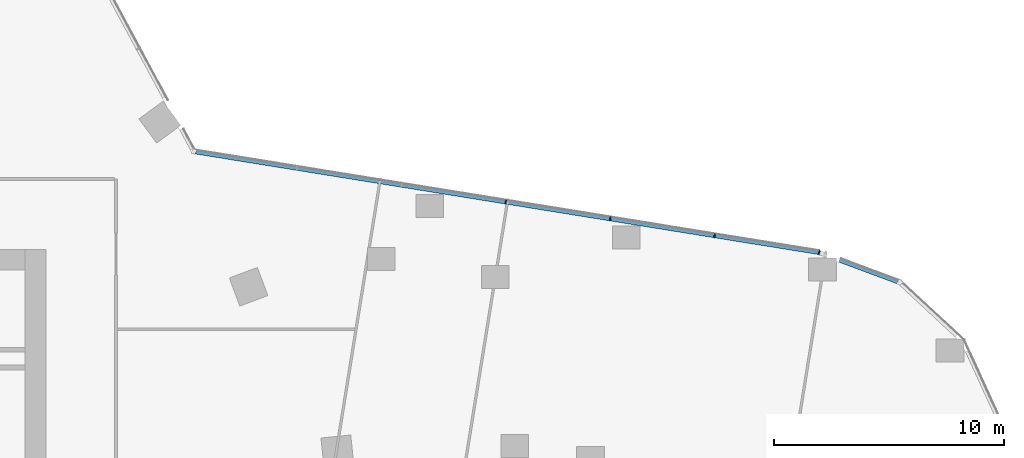
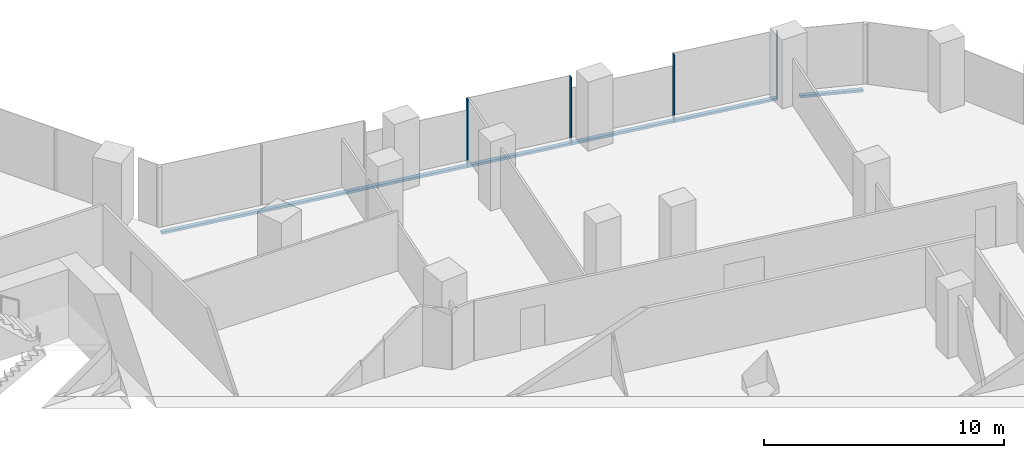
# One storey, part 14 of 34: 6 members, 2 elements without a shape of their own.
"""IFC4 building model written with IfcOpenShell, lengths in metres."""

from ifc_helpers import new_model, si_unit, direction, frame, origin, origin_2d, place, context, subcontext, project, spatial, rectangle, extrude, material, material_profile, profile_set, type_object, element, aggregate, save


model = new_model("IFC4")

# Units and contexts
model_context = context("Model", 3, precision=1e-05, world=origin(), true_north=direction((0.0, 1.0)))
body_context = subcontext(model_context, "Body", "Model", "MODEL_VIEW")
ifc_project = project(units=[si_unit("LENGTHUNIT", "METRE"), si_unit("AREAUNIT", "SQUARE_METRE"), si_unit("VOLUMEUNIT", "CUBIC_METRE"), si_unit("PLANEANGLEUNIT", "RADIAN"), si_unit("MASSUNIT", "GRAM", prefix="KILO")], contexts=[model_context])

# Site, building, storey
site_placement = place(None, origin())
site = spatial("IfcSite", under=ifc_project, at=site_placement, CompositionType="ELEMENT")
building_placement = place(site_placement, origin())
building = spatial("IfcBuilding", under=site, at=building_placement, Name="Orlundy Tower", CompositionType="ELEMENT")
storey_placement = place(building_placement, frame((0.0, 0.0, 137.699951171875)))
storey = spatial("IfcBuildingStorey", under=building, at=storey_placement, Name="L35", CompositionType="ELEMENT", Elevation=137.699951171875)

# Curtain wall, members
ifc_material_1 = material(Name="Aluminium bronze anodised", Category="aluminium")
curtain_wall_type = type_object("IfcCurtainWallType", Name="CW1 wall", PredefinedType="NOTDEFINED", material=ifc_material_1)
curtain_wall_1_placement = place(storey_placement, origin())
curtain_wall_1 = element("IfcCurtainWall", 1, at=curtain_wall_1_placement, inside=storey, type_object=curtain_wall_type, Name="CW1 run 06", PredefinedType="NOTDEFINED")
ifc_material_2 = material(Name="Aluminium bronze anodised", Category="aluminium")
ifc_material_profile_1 = material_profile(ifc_material_2, rectangle(XDim=0.179931640625, YDim=0.050048828125, at=origin_2d()), Name="CW1 mullion 50x180")
ifc_profile_set_1 = profile_set([ifc_material_profile_1], Name="Aluminium bronze anodised")
member_type_1 = type_object("IfcMemberType", Name="CW1 mullion 50x180", PredefinedType="MULLION", material=ifc_profile_set_1)
member_1_placement = place(storey_placement, frame((38.971923828125, 14.060791015625, -0.39990234375), z_axis=(0.0, 0.0, 1.0), x_axis=(0.159302095871, 0.987229883184, 0.0)))
member_1 = element("IfcMember", 2, at=member_1_placement, type_object=member_type_1, Name="CW1 mullion 29", PredefinedType="MULLION", context=body_context, shape_type="SweptSolid", body=[
    extrude(rectangle(XDim=0.179931640625, YDim=0.050048828125, at=origin_2d()), origin(), (0.0, 0.0, 1.0), 3.449951171875),
])
member_2_placement = place(storey_placement, frame((43.501953125, 13.329833984375, -0.39990234375), z_axis=(0.0, 0.0, 1.0), x_axis=(0.159302095871, 0.987229883184, 0.0)))
member_2 = element("IfcMember", 3, at=member_2_placement, type_object=member_type_1, Name="CW1 mullion 30", PredefinedType="MULLION", context=body_context, shape_type="SweptSolid", body=[
    extrude(rectangle(XDim=0.179931640625, YDim=0.050048828125, at=origin_2d()), origin(), (0.0, 0.0, 1.0), 3.449951171875),
])
member_3_placement = place(storey_placement, frame((48.0322265625, 12.598876953125, -0.39990234375), z_axis=(0.0, 0.0, 1.0), x_axis=(0.159302095871, 0.987229883184, 0.0)))
member_3 = element("IfcMember", 4, at=member_3_placement, type_object=member_type_1, Name="CW1 mullion 31", PredefinedType="MULLION", context=body_context, shape_type="SweptSolid", body=[
    extrude(rectangle(XDim=0.179931640625, YDim=0.050048828125, at=origin_2d()), origin(), (0.0, 0.0, 1.0), 3.449951171875),
])

# Curtain wall, member
curtain_wall_2_placement = place(storey_placement, origin())
curtain_wall_2 = element("IfcCurtainWall", 5, at=curtain_wall_2_placement, inside=storey, type_object=curtain_wall_type, Name="CW1 run 07", PredefinedType="NOTDEFINED")
member_4_placement = place(storey_placement, frame((52.571044921875, 11.866455078125, -0.39990234375), z_axis=(0.0, 0.0, 1.0), x_axis=(0.255333702163, 0.96685298807, 0.0)))
member_4 = element("IfcMember", 6, at=member_4_placement, type_object=member_type_1, Name="CW1 mullion 32", PredefinedType="MULLION", context=body_context, shape_type="SweptSolid", body=[
    extrude(rectangle(XDim=0.179931640625, YDim=0.050048828125, at=origin_2d()), origin(), (0.0, 0.0, 1.0), 3.449951171875),
])

# Member
ifc_material_3 = material(Name="Aluminium bronze anodised", Category="aluminium")
ifc_material_profile_2 = material_profile(ifc_material_3, rectangle(XDim=0.179931640625, YDim=0.1201171875, at=origin_2d()), Name="CW1 transom 180x120")
ifc_profile_set_2 = profile_set([ifc_material_profile_2], Name="Aluminium bronze anodised")
member_type_2 = type_object("IfcMemberType", Name="CW1 transom 180x120", PredefinedType="USERDEFINED", material=ifc_profile_set_2)
member_5_placement = place(storey_placement, frame((25.513916015625, 16.232421875, -0.33984375), z_axis=(0.987229724449, -0.159303079582, 0.0), x_axis=(0.159303079582, 0.987229724449, 0.0)))
member_5 = element("IfcMember", 7, at=member_5_placement, type_object=member_type_2, Name="CW1 transom", ObjectType="TRANSOM", PredefinedType="USERDEFINED", context=body_context, shape_type="SweptSolid", body=[
    extrude(rectangle(XDim=0.179931640625, YDim=0.1201171875, at=origin_2d()), origin(), (0.0, 0.0, 1.0), 27.382080078125),
])

aggregate(curtain_wall_1, [member_1, member_2, member_3, member_5])

member_6_placement = place(storey_placement, frame((53.465087890625, 11.53369140625, -0.33984375), z_axis=(0.937149851319, -0.348927150238, 0.0), x_axis=(0.348927150238, 0.937149851319, 0.0)))
member_6 = element("IfcMember", 8, at=member_6_placement, type_object=member_type_2, Name="CW1 transom", ObjectType="TRANSOM", PredefinedType="USERDEFINED", context=body_context, shape_type="SweptSolid", body=[
    extrude(rectangle(XDim=0.179931640625, YDim=0.1201171875, at=origin_2d()), origin(), (0.0, 0.0, 1.0), 2.68115234375),
])

aggregate(curtain_wall_2, [member_4, member_6])

save(model, "model.ifc")
